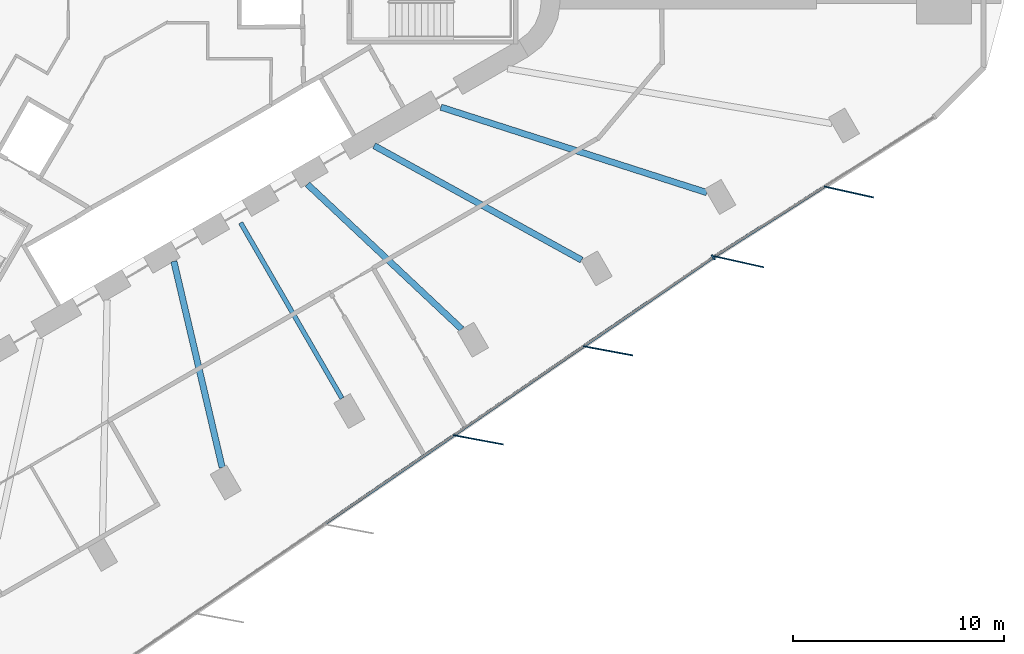
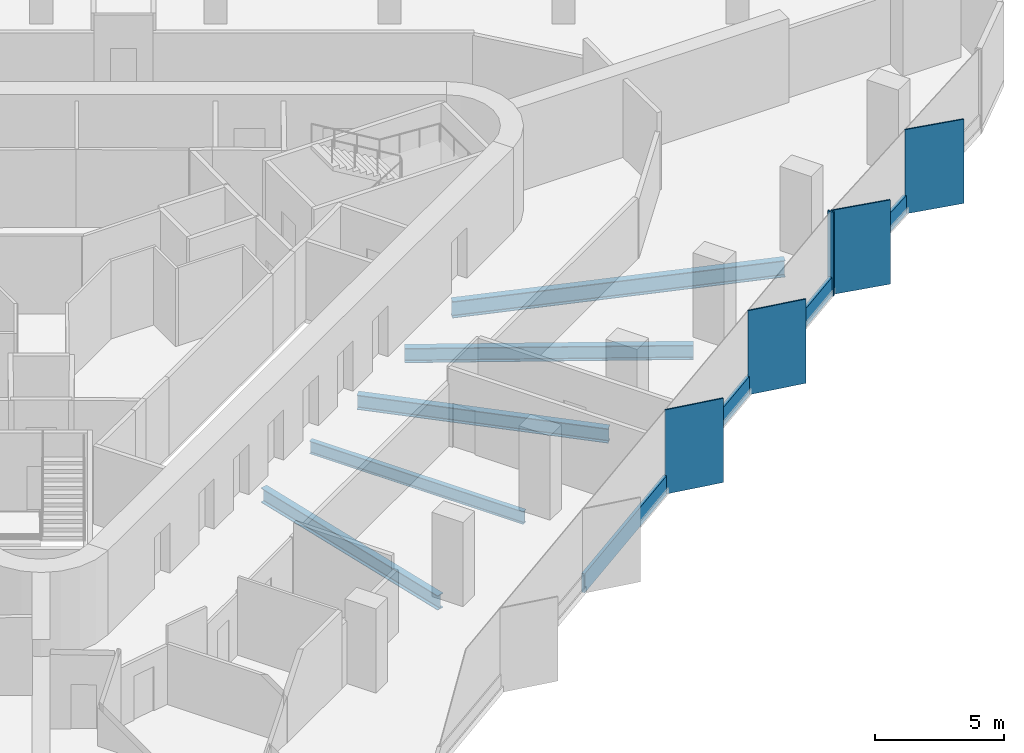
# One storey, part 3 of 13: 9 members, 5 beams, 2 elements without a shape of their own.
"""IFC4 building model written with IfcOpenShell, lengths in metres."""

from ifc_helpers import new_model, si_unit, direction, frame, origin, origin_2d, place, context, subcontext, project, spatial, rectangle, i_section, extrude, material, material_profile, profile_set, type_object, element, aggregate, save


model = new_model("IFC4")

# Units and contexts
model_context = context("Model", 3, precision=1e-05, world=origin(), true_north=direction((0.0, 1.0)))
body_context = subcontext(model_context, "Body", "Model", "MODEL_VIEW")
ifc_project = project(units=[si_unit("LENGTHUNIT", "METRE"), si_unit("AREAUNIT", "SQUARE_METRE"), si_unit("VOLUMEUNIT", "CUBIC_METRE"), si_unit("PLANEANGLEUNIT", "RADIAN"), si_unit("MASSUNIT", "GRAM", prefix="KILO")], contexts=[model_context])

# Site, building, storey
site_placement = place(None, origin())
site = spatial("IfcSite", under=ifc_project, at=site_placement, CompositionType="ELEMENT")
building_placement = place(site_placement, origin())
building = spatial("IfcBuilding", under=site, at=building_placement, Name="Tanit Gate Tower", CompositionType="ELEMENT")
storey_placement = place(building_placement, frame((0.0, 0.0, 189.199951171875)))
storey = spatial("IfcBuildingStorey", under=building, at=storey_placement, Name="L41", CompositionType="ELEMENT", Elevation=189.199951171875)

# Curtain wall, members
ifc_material_1 = material(Name="Aluminium bronze anodised and glass", Category="aluminium")
curtain_wall_type = type_object("IfcCurtainWallType", Name="Curtain wall typical mid", PredefinedType="NOTDEFINED", material=ifc_material_1)
curtain_wall_1_placement = place(storey_placement, origin())
curtain_wall_1 = element("IfcCurtainWall", 1, at=curtain_wall_1_placement, inside=storey, type_object=curtain_wall_type, Name="Curtain wall L41 SE2", PredefinedType="NOTDEFINED")
ifc_material_2 = material(Name="Aluminium bronze anodised", Category="aluminium")
ifc_material_profile_1 = material_profile(ifc_material_2, rectangle(XDim=2.39990234375, YDim=0.055908203125, at=origin_2d()), Name="56x2400 bronze fin mullion")
ifc_profile_set_1 = profile_set([ifc_material_profile_1], Name="Aluminium bronze anodised")
member_type_1 = type_object("IfcMemberType", Name="FIN MULLION 56x2400 bronze", PredefinedType="MULLION", material=ifc_profile_set_1)
member_1_placement = place(storey_placement, frame((17.32275390625, -20.77099609375, -0.300048828125), z_axis=(0.0, 0.0, 1.0), x_axis=(-0.983116074967, 0.182983013261, 0.0)))
member_1 = element("IfcMember", 2, at=member_1_placement, type_object=member_type_1, Name="Fin mullion L41 SE2.4", PredefinedType="MULLION", context=body_context, shape_type="SweptSolid", body=[
    extrude(rectangle(XDim=2.39990234375, YDim=0.055908203125, at=origin_2d()), origin(), (0.0, 0.0, 1.0), 4.0),
])
member_2_placement = place(storey_placement, frame((23.473388671875, -16.55078125, -0.300048828125), z_axis=(0.0, 0.0, 1.0), x_axis=(-0.983116074967, 0.182983013261, 0.0)))
member_2 = element("IfcMember", 3, at=member_2_placement, type_object=member_type_1, Name="Fin mullion L41 SE2.5", PredefinedType="MULLION", context=body_context, shape_type="SweptSolid", body=[
    extrude(rectangle(XDim=2.39990234375, YDim=0.055908203125, at=origin_2d()), origin(), (0.0, 0.0, 1.0), 4.0),
])

curtain_wall_2_placement = place(storey_placement, origin())
curtain_wall_2 = element("IfcCurtainWall", 4, at=curtain_wall_2_placement, inside=storey, type_object=curtain_wall_type, Name="Curtain wall L41 SE3", PredefinedType="NOTDEFINED")
member_3_placement = place(storey_placement, frame((29.6826171875, -12.3271484375, -0.300048828125), z_axis=(0.0, 0.0, 1.0), x_axis=(-0.976010778873, 0.217722207235, 0.0)))
member_3 = element("IfcMember", 5, at=member_3_placement, type_object=member_type_1, Name="Fin mullion L41 SE3.1", PredefinedType="MULLION", context=body_context, shape_type="SweptSolid", body=[
    extrude(rectangle(XDim=2.39990234375, YDim=0.055908203125, at=origin_2d()), origin(), (0.0, 0.0, 1.0), 4.0),
])
member_4_placement = place(storey_placement, frame((34.893798828125, -9.016845703125, -0.300048828125), z_axis=(0.0, 0.0, 1.0), x_axis=(-0.976010778873, 0.217722207235, 0.0)))
member_4 = element("IfcMember", 6, at=member_4_placement, type_object=member_type_1, Name="Fin mullion L41 SE3.2", PredefinedType="MULLION", context=body_context, shape_type="SweptSolid", body=[
    extrude(rectangle(XDim=2.39990234375, YDim=0.055908203125, at=origin_2d()), origin(), (0.0, 0.0, 1.0), 4.0),
])

# Member
ifc_material_3 = material(Name="Aluminium bronze anodised", Category="aluminium")
ifc_material_profile_2 = material_profile(ifc_material_3, rectangle(XDim=0.260009765625, YDim=0.080078125, at=origin_2d()), Name="80x260 bronze mullion")
ifc_profile_set_2 = profile_set([ifc_material_profile_2], Name="Aluminium bronze anodised")
member_type_2 = type_object("IfcMemberType", Name="Mullion 80x260 typical mid", PredefinedType="MULLION", material=ifc_profile_set_2)
member_5_placement = place(storey_placement, frame((28.46533203125, -12.11474609375, -0.300048828125), z_axis=(0.0, 0.0, 1.0), x_axis=(-0.565779513784, 0.824556572821, 0.0)))
member_5 = element("IfcMember", 7, at=member_5_placement, type_object=member_type_2, Name="Mullion L41 SE2.6", PredefinedType="MULLION", context=body_context, shape_type="SweptSolid", body=[
    extrude(rectangle(XDim=0.260009765625, YDim=0.080078125, at=origin_2d()), origin(), (0.0, 0.0, 1.0), 4.0),
])

# Beams
ifc_material_4 = material(Name="Steel S355", Category="steel")
ifc_material_profile_3 = material_profile(ifc_material_4, i_section(OverallWidth=0.300048828125, OverallDepth=0.68994140625, WebThickness=0.014404296875, FlangeThickness=0.027099609375, FilletRadius=0.027099609375, at=origin_2d()), Name="HEA 700")
ifc_profile_set_3 = profile_set([ifc_material_profile_3], Name="Steel S355")
beam_type_1 = type_object("IfcBeamType", Name="RADIAL GIRDER HEA 700 S355", PredefinedType="BEAM", material=ifc_profile_set_3)
for number, where, z_axis, x_axis, name in (
    (8, (5.176513671875, -22.085205078125, -0.64501953125), (-0.228201765942, 0.973613862895, 0.0), (-0.973613862895, -0.228201765942, 0.0), "RADIAL GIRDER"),
    (9, (16.5380859375, -15.525634765625, -0.64501953125), (-0.72907377567, 0.684435117181, 0.0), (-0.684435117181, -0.72907377567, 0.0), "RADIAL GIRDER"),
):
    element("IfcBeam", number, at=place(storey_placement, frame(where, z_axis=z_axis, x_axis=x_axis)), inside=storey, type_object=beam_type_1, Name=name, PredefinedType="BEAM", context=body_context, shape_type="SweptSolid", body=[
        extrude(i_section(OverallWidth=0.300048828125, OverallDepth=0.68994140625, WebThickness=0.014404296875, FlangeThickness=0.027099609375, FilletRadius=0.027099609375, at=origin_2d()), origin(), (0.0, 0.0, 1.0), 10.04150390625),
    ])
beam_1_placement = place(storey_placement, frame((22.21875, -12.245849609375, -0.64501953125), z_axis=(-0.875791934308, 0.482688810519, 0.0), x_axis=(-0.482688810519, -0.875791934308, 0.0)))
element("IfcBeam", 10, at=beam_1_placement, inside=storey, type_object=beam_type_1, Name="RADIAL GIRDER", PredefinedType="BEAM", context=body_context, shape_type="SweptSolid", body=[
    extrude(i_section(OverallWidth=0.300048828125, OverallDepth=0.68994140625, WebThickness=0.014404296875, FlangeThickness=0.027099609375, FilletRadius=0.027099609375, at=origin_2d()), origin(), (0.0, 0.0, 1.0), 11.230712890625),
])
ifc_material_5 = material(Name="Steel S355", Category="steel")
ifc_material_profile_4 = material_profile(ifc_material_5, i_section(OverallWidth=0.300048828125, OverallDepth=0.7900390625, WebThickness=0.014892578125, FlangeThickness=0.028076171875, FilletRadius=0.030029296875, at=origin_2d()), Name="HEA 800")
ifc_profile_set_4 = profile_set([ifc_material_profile_4], Name="Steel S355")
beam_type_2 = type_object("IfcBeamType", Name="RADIAL GIRDER HEA 800 S355", PredefinedType="BEAM", material=ifc_profile_set_4)
beam_2_placement = place(storey_placement, frame((28.160888671875, -9.05029296875, -0.695068359375), z_axis=(-0.952041216239, 0.305969806651, 0.0), x_axis=(-0.305969806651, -0.952041216239, 0.0)))
element("IfcBeam", 11, at=beam_2_placement, inside=storey, type_object=beam_type_2, Name="RADIAL GIRDER", PredefinedType="BEAM", context=body_context, shape_type="SweptSolid", body=[
    extrude(i_section(OverallWidth=0.300048828125, OverallDepth=0.7900390625, WebThickness=0.014892578125, FlangeThickness=0.028076171875, FilletRadius=0.030029296875, at=origin_2d()), origin(), (0.0, 0.0, 1.0), 13.2470703125),
])
ifc_material_6 = material(Name="Steel S355", Category="steel")
ifc_material_profile_5 = material_profile(ifc_material_6, i_section(OverallWidth=0.219970703125, OverallDepth=0.60009765625, WebThickness=0.011962890625, FlangeThickness=0.01904296875, FilletRadius=0.02392578125, at=origin_2d()), Name="IPE 600")
ifc_profile_set_5 = profile_set([ifc_material_profile_5], Name="Steel S355")
beam_type_3 = type_object("IfcBeamType", Name="RADIAL GIRDER IPE 600 S355", PredefinedType="BEAM", material=ifc_profile_set_5)
beam_3_placement = place(storey_placement, frame((10.857421875, -18.805419921875, -0.599853515625), z_axis=(-0.500009724617, 0.866019789201, 0.0), x_axis=(-0.866019789201, -0.500009724617, 0.0)))
element("IfcBeam", 12, at=beam_3_placement, inside=storey, type_object=beam_type_3, Name="RADIAL GIRDER", PredefinedType="BEAM", context=body_context, shape_type="SweptSolid", body=[
    extrude(i_section(OverallWidth=0.219970703125, OverallDepth=0.60009765625, WebThickness=0.011962890625, FlangeThickness=0.01904296875, FilletRadius=0.02392578125, at=origin_2d()), origin(), (0.0, 0.0, 1.0), 9.612548828125),
])

# Member
ifc_material_7 = material(Name="Aluminium bronze anodised", Category="aluminium")
ifc_material_profile_6 = material_profile(ifc_material_7, rectangle(XDim=0.139892578125, YDim=0.89990234375, at=origin_2d()), Name="140x900 bronze transom")
ifc_profile_set_6 = profile_set([ifc_material_profile_6], Name="Aluminium bronze anodised")
member_type_3 = type_object("IfcMemberType", Name="Transom 140x900 typical mid", PredefinedType="USERDEFINED", material=ifc_profile_set_6)
member_6_placement = place(storey_placement, frame((10.046142578125, -24.753173828125, 0.150146484375), z_axis=(0.824559958411, 0.565774579657, 0.0), x_axis=(-0.565774579657, 0.824559958411, 0.0)))
member_6 = element("IfcMember", 13, at=member_6_placement, type_object=member_type_3, Name="Transom L41 SE2.3", ObjectType="TRANSOM", PredefinedType="USERDEFINED", context=body_context, shape_type="SweptSolid", body=[
    extrude(rectangle(XDim=0.139892578125, YDim=0.89990234375, at=origin_2d()), origin(), (0.0, 0.0, 1.0), 7.37939453125),
])

member_7_placement = place(storey_placement, frame((16.197021484375, -20.53271484375, 0.150146484375), z_axis=(0.824559958411, 0.565774579657, 0.0), x_axis=(-0.565774579657, 0.824559958411, 0.0)))
member_7 = element("IfcMember", 14, at=member_7_placement, type_object=member_type_3, Name="Transom L41 SE2.4", ObjectType="TRANSOM", PredefinedType="USERDEFINED", context=body_context, shape_type="SweptSolid", body=[
    extrude(rectangle(XDim=0.139892578125, YDim=0.89990234375, at=origin_2d()), origin(), (0.0, 0.0, 1.0), 7.37939453125),
])

member_8_placement = place(storey_placement, frame((22.34765625, -16.312255859375, 0.150146484375), z_axis=(0.824559958411, 0.565774579657, 0.0), x_axis=(-0.565774579657, 0.824559958411, 0.0)))
member_8 = element("IfcMember", 15, at=member_8_placement, type_object=member_type_3, Name="Transom L41 SE2.5", ObjectType="TRANSOM", PredefinedType="USERDEFINED", context=body_context, shape_type="SweptSolid", body=[
    extrude(rectangle(XDim=0.139892578125, YDim=0.89990234375, at=origin_2d()), origin(), (0.0, 0.0, 1.0), 7.37939453125),
])

aggregate(curtain_wall_1, [member_1, member_2, member_5, member_6, member_7, member_8])

member_9_placement = place(storey_placement, frame((28.565673828125, -12.049072265625, 0.150146484375), z_axis=(0.844106613842, 0.536175367272, 0.0), x_axis=(-0.536175367272, 0.844106613842, 0.0)))
member_9 = element("IfcMember", 16, at=member_9_placement, type_object=member_type_3, Name="Transom L41 SE3.1", ObjectType="TRANSOM", PredefinedType="USERDEFINED", context=body_context, shape_type="SweptSolid", body=[
    extrude(rectangle(XDim=0.139892578125, YDim=0.89990234375, at=origin_2d()), origin(), (0.0, 0.0, 1.0), 6.09375),
])

aggregate(curtain_wall_2, [member_3, member_4, member_9])

save(model, "model.ifc")
